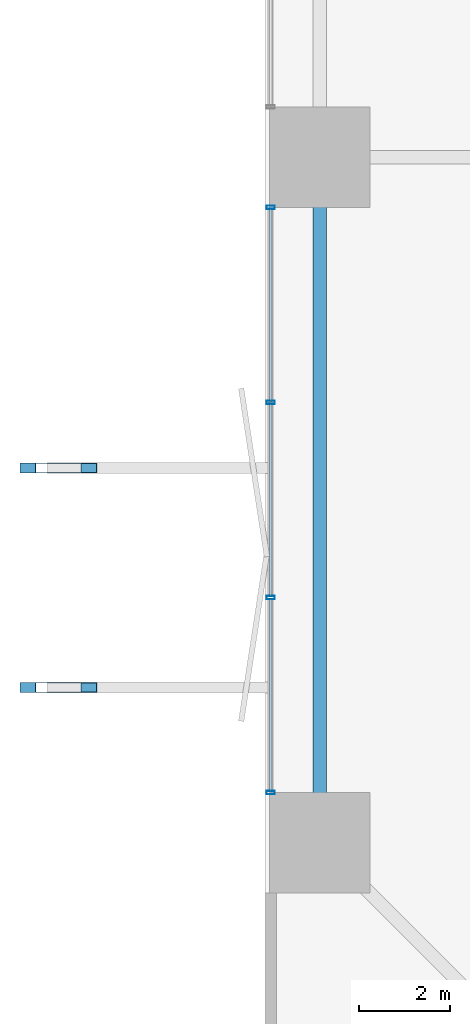
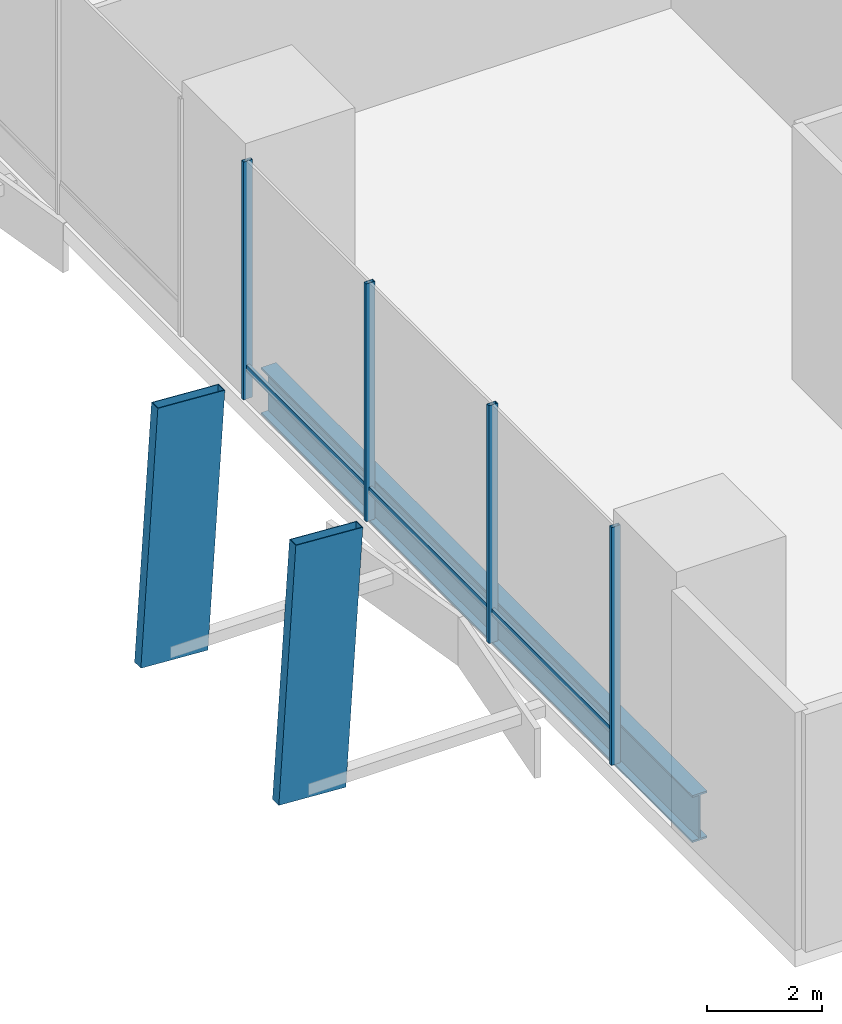
# One storey, part 4 of 24: 9 members, 1 beam, 1 element without a shape of its own.
"""IFC4 building model written with IfcOpenShell, lengths in metres."""

from ifc_helpers import new_model, si_unit, direction, frame, origin, origin_2d, place, context, subcontext, project, spatial, hollow_rectangle, i_section, extrude, material, layer, layer_set, material_profile, profile_set, type_object, element, aggregate, save


model = new_model("IFC4")

# Units and contexts
model_context = context("Model", 3, precision=1e-05, world=origin(), true_north=direction((0.0, 1.0)))
body_context = subcontext(model_context, "Body", "Model", "MODEL_VIEW")
ifc_project = project(units=[si_unit("LENGTHUNIT", "METRE"), si_unit("AREAUNIT", "SQUARE_METRE"), si_unit("VOLUMEUNIT", "CUBIC_METRE"), si_unit("PLANEANGLEUNIT", "RADIAN"), si_unit("MASSUNIT", "GRAM", prefix="KILO")], contexts=[model_context])

# Site, building, storey
site_placement = place(None, origin())
site = spatial("IfcSite", under=ifc_project, at=site_placement, CompositionType="ELEMENT")
building_placement = place(site_placement, origin())
building = spatial("IfcBuilding", under=site, at=building_placement, Name="Belovzor Exchange Tower", CompositionType="ELEMENT")
storey_placement = place(building_placement, frame((0.0, 0.0, 8.39990234375)))
storey = spatial("IfcBuildingStorey", under=building, at=storey_placement, Name="L02", CompositionType="ELEMENT", Elevation=8.39990234375)

# Members
ifc_material_1 = material(Name="Extruded Architectural Terracotta on Steel S355 Carrier", Category="masonry")
ifc_material_profile_1 = material_profile(ifc_material_1, hollow_rectangle(XDim=0.219970703125, YDim=1.35009765625, WallThickness=0.013916015625, at=origin_2d()))
ifc_profile_set_1 = profile_set([ifc_material_profile_1], Name="Extruded Architectural Terracotta on Steel S355 Carrier")
member_type_1 = type_object("IfcMemberType", Name="Base Arc Sweeping Terracotta Pylon Fin 1450", PredefinedType="USERDEFINED", material=ifc_profile_set_1)
for number, where, z_axis, x_axis, name in (
    (1, (-4.0810546875, 17.199951171875, -0.349853515625), (0.063035616034, 0.0, 0.998011278048), (0.0, 1.0, 0.0), "FIN-TC145 Terracotta Facade Fin L02 W1"),
    (2, (-4.0810546875, 22.0, -0.349853515625), (0.063035616034, 0.0, 0.998011278048), (0.0, 1.0, 0.0), "FIN-TC145 Terracotta Facade Fin L02 W2"),
):
    element("IfcMember", number, at=place(storey_placement, frame(where, z_axis=z_axis, x_axis=x_axis)), inside=storey, type_object=member_type_1, Name=name, ObjectType="FIN", PredefinedType="USERDEFINED", context=body_context, shape_type="SweptSolid", body=[
        extrude(hollow_rectangle(XDim=0.219970703125, YDim=1.35009765625, WallThickness=0.013916015625, at=origin_2d()), origin(), (0.0, 0.0, 1.0), 5.41064453125),
    ])

# Beam
ifc_material_2 = material(Name="Steel S460", Category="steel")
ifc_material_profile_2 = material_profile(ifc_material_2, i_section(OverallWidth=0.300048828125, OverallDepth=1.0, WebThickness=0.02099609375, FlangeThickness=0.0400390625, at=origin_2d()))
ifc_profile_set_2 = profile_set([ifc_material_profile_2], Name="Steel S460")
beam_type = type_object("IfcBeamType", Name="Podium Exchange Hall Ring Girder HEM 1000", PredefinedType="BEAM", material=ifc_profile_set_2)
beam_placement = place(storey_placement, frame((1.800048828125, 28.800048828125, -0.849853515625), z_axis=(0.0, -1.0, 0.0), x_axis=(1.0, 0.0, 0.0)))
element("IfcBeam", 3, at=beam_placement, inside=storey, type_object=beam_type, Name="PG-1 Podium Exchange Hall Ring Girder HEM 1000", PredefinedType="BEAM", context=body_context, shape_type="SweptSolid", body=[
    extrude(i_section(OverallWidth=0.300048828125, OverallDepth=1.0, WebThickness=0.02099609375, FlangeThickness=0.0400390625, at=origin_2d()), origin(), (0.0, 0.0, 1.0), 15.0),
])

# Curtain wall, members
ifc_material_3 = material(Name="Anodised Aluminium Framing", Category="aluminium")
ifc_layer = layer(ifc_material_3, 0.219970703125)
ifc_layer_set = layer_set([ifc_layer], Name="Anodised Aluminium Framing")
curtain_wall_type = type_object("IfcCurtainWallType", Name="Podium Clear-Span Exchange Hall Unitised Curtain Wall", PredefinedType="NOTDEFINED", material=ifc_layer_set)
curtain_wall_placement = place(storey_placement, origin())
curtain_wall = element("IfcCurtainWall", 4, at=curtain_wall_placement, inside=storey, type_object=curtain_wall_type, Name="CW1 Podium Clear-Span Exchange Hall Unitised Curtain Wall L02", PredefinedType="NOTDEFINED")
ifc_material_4 = material(Name="Steel S355", Category="steel")
ifc_material_profile_3 = material_profile(ifc_material_4, hollow_rectangle(XDim=0.074951171875, YDim=0.179931640625, WallThickness=0.0048828125, at=origin_2d()))
ifc_profile_set_3 = profile_set([ifc_material_profile_3], Name="Steel S355")
member_type_2 = type_object("IfcMemberType", Name="Thermally Broken Curtain Wall Mullion 180x75", PredefinedType="MULLION", material=ifc_profile_set_3)
member_1_placement = place(storey_placement, frame((0.72998046875, 14.89990234375, 0.0), z_axis=(0.0, 0.0, 1.0), x_axis=(0.0, 1.0, 0.0)))
member_1 = element("IfcMember", 5, at=member_1_placement, type_object=member_type_2, Name="CW-M180 Curtain Wall Mullion 1", PredefinedType="MULLION", context=body_context, shape_type="SweptSolid", body=[
    extrude(hollow_rectangle(XDim=0.074951171875, YDim=0.179931640625, WallThickness=0.0048828125, at=origin_2d()), origin(), (0.0, 0.0, 1.0), 5.050048828125),
])
member_2_placement = place(storey_placement, frame((0.72998046875, 19.1669921875, 0.0), z_axis=(0.0, 0.0, 1.0), x_axis=(0.0, 1.0, 0.0)))
member_2 = element("IfcMember", 6, at=member_2_placement, type_object=member_type_2, Name="CW-M180 Curtain Wall Mullion 2", PredefinedType="MULLION", context=body_context, shape_type="SweptSolid", body=[
    extrude(hollow_rectangle(XDim=0.074951171875, YDim=0.179931640625, WallThickness=0.0048828125, at=origin_2d()), origin(), (0.0, 0.0, 1.0), 5.050048828125),
])
member_3_placement = place(storey_placement, frame((0.72998046875, 23.43310546875, 0.0), z_axis=(0.0, 0.0, 1.0), x_axis=(0.0, 1.0, 0.0)))
member_3 = element("IfcMember", 7, at=member_3_placement, type_object=member_type_2, Name="CW-M180 Curtain Wall Mullion 3", PredefinedType="MULLION", context=body_context, shape_type="SweptSolid", body=[
    extrude(hollow_rectangle(XDim=0.074951171875, YDim=0.179931640625, WallThickness=0.0048828125, at=origin_2d()), origin(), (0.0, 0.0, 1.0), 5.050048828125),
])
member_4_placement = place(storey_placement, frame((0.72998046875, 27.699951171875, 0.0), z_axis=(0.0, 0.0, 1.0), x_axis=(0.0, 1.0, 0.0)))
member_4 = element("IfcMember", 8, at=member_4_placement, type_object=member_type_2, Name="CW-M180 Curtain Wall Mullion 4", PredefinedType="MULLION", context=body_context, shape_type="SweptSolid", body=[
    extrude(hollow_rectangle(XDim=0.074951171875, YDim=0.179931640625, WallThickness=0.0048828125, at=origin_2d()), origin(), (0.0, 0.0, 1.0), 5.050048828125),
])
ifc_material_5 = material(Name="Steel S355", Category="steel")
ifc_material_profile_4 = material_profile(ifc_material_5, hollow_rectangle(XDim=0.06005859375, YDim=0.14990234375, WallThickness=0.00390625, at=origin_2d()))
ifc_profile_set_4 = profile_set([ifc_material_profile_4], Name="Steel S355")
member_type_3 = type_object("IfcMemberType", Name="Thermally Broken Curtain Wall Transom 150x60", PredefinedType="USERDEFINED", material=ifc_profile_set_4)
member_5_placement = place(storey_placement, frame((0.72998046875, 14.907958984375, 0.650146484375), z_axis=(0.0, 1.0, 0.0), x_axis=(-1.0, 0.0, 0.0)))
member_5 = element("IfcMember", 9, at=member_5_placement, type_object=member_type_3, Name="CW-T150 Curtain Wall Transom 1", ObjectType="TRANSOM", PredefinedType="USERDEFINED", context=body_context, shape_type="SweptSolid", body=[
    extrude(hollow_rectangle(XDim=0.06005859375, YDim=0.14990234375, WallThickness=0.00390625, at=origin_2d()), origin(), (0.0, 0.0, 1.0), 4.2509765625),
])
member_6_placement = place(storey_placement, frame((0.72998046875, 19.175048828125, 0.650146484375), z_axis=(0.0, 1.0, 0.0), x_axis=(-1.0, 0.0, 0.0)))
member_6 = element("IfcMember", 10, at=member_6_placement, type_object=member_type_3, Name="CW-T150 Curtain Wall Transom 2", ObjectType="TRANSOM", PredefinedType="USERDEFINED", context=body_context, shape_type="SweptSolid", body=[
    extrude(hollow_rectangle(XDim=0.06005859375, YDim=0.14990234375, WallThickness=0.00390625, at=origin_2d()), origin(), (0.0, 0.0, 1.0), 4.25),
])
member_7_placement = place(storey_placement, frame((0.72998046875, 23.44091796875, 0.650146484375), z_axis=(0.0, 1.0, 0.0), x_axis=(-1.0, 0.0, 0.0)))
member_7 = element("IfcMember", 11, at=member_7_placement, type_object=member_type_3, Name="CW-T150 Curtain Wall Transom 3", ObjectType="TRANSOM", PredefinedType="USERDEFINED", context=body_context, shape_type="SweptSolid", body=[
    extrude(hollow_rectangle(XDim=0.06005859375, YDim=0.14990234375, WallThickness=0.00390625, at=origin_2d()), origin(), (0.0, 0.0, 1.0), 4.2509765625),
])
aggregate(curtain_wall, [member_1, member_2, member_3, member_4, member_5, member_6, member_7])

save(model, "model.ifc")
